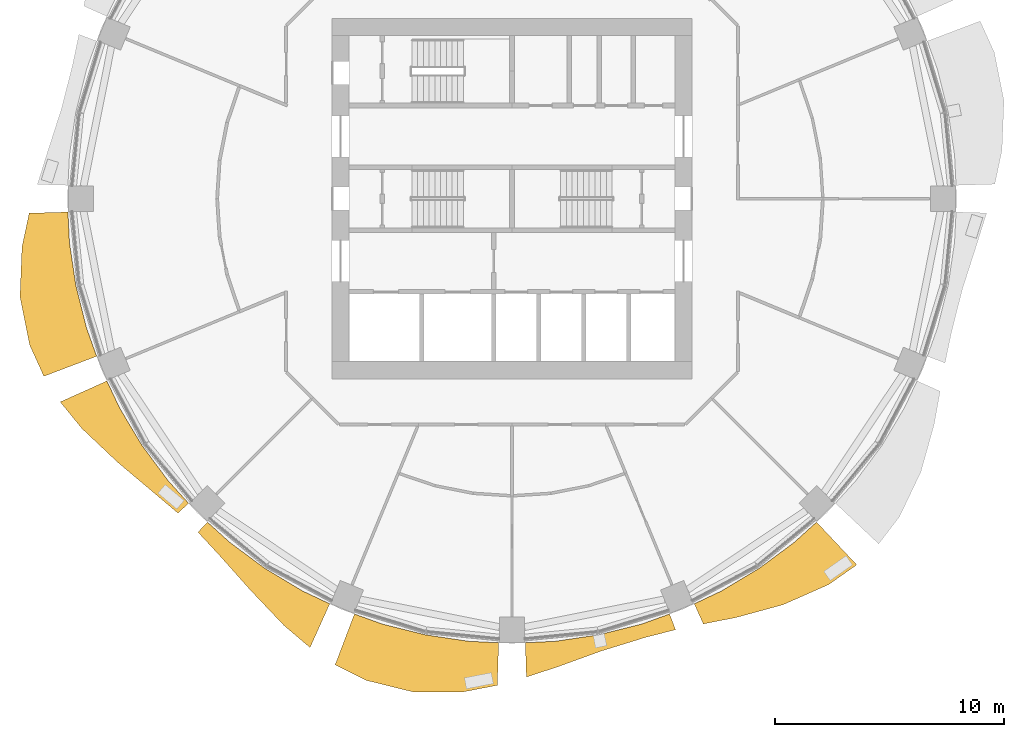
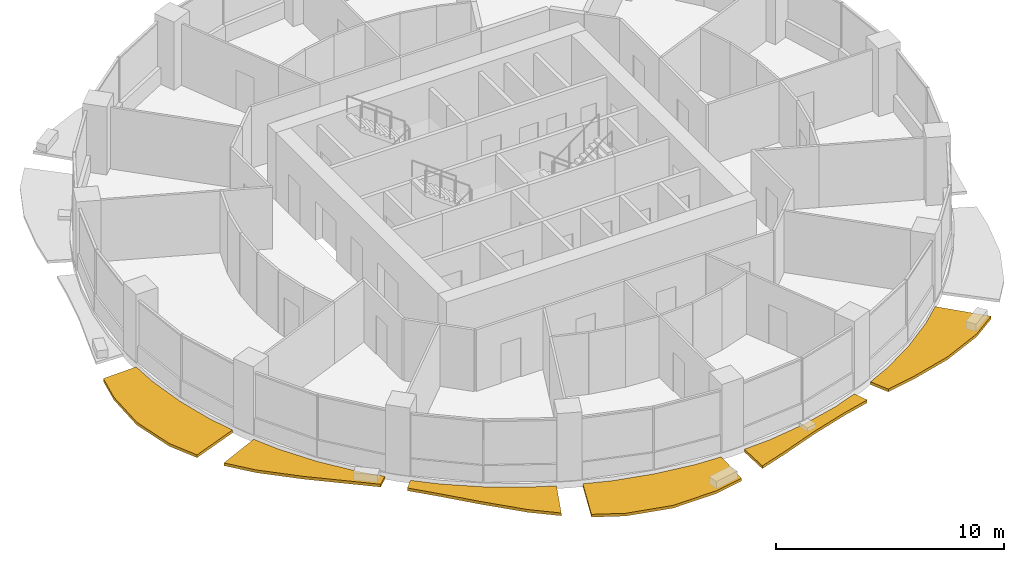
# One storey, part 12 of 15: 6 shading devices.
"""IFC4 building model written with IfcOpenShell, lengths in metres."""

import ifcopenshell
import ifcopenshell.guid

model = None  # the IFC model being written
_history = None  # IfcOwnerHistory: only IFC2X3 demands one
_inside = {}  # id of a spatial element -> (the spatial element, [elements in it])
_under = {}  # id of a project, library or spatial element -> (it, [spatial elements below it])
_declared = {}  # id of a project -> (the project, [libraries it declares])
_typed = {}  # id of a type object -> (the type object, [elements of that type])
_made_of = {}  # id of a material, layer set ... -> (it, [elements and type objects made of it])


def new_model(schema):
    """Start an empty IFC model of exactly this schema.

    Asked for "IFC4X3", IfcOpenShell would pick the latest addendum, in which some entities
    have other attributes; the version numbers below select the first issue.
    IFC2X3 requires an IfcOwnerHistory on every rooted entity: one is made here for all.
    """
    global model, _history
    if schema == "IFC4X3":
        model = ifcopenshell.file(schema_version=(4, 3, 0, 0))
    else:
        model = ifcopenshell.file(schema=schema)
    _inside.clear()
    _under.clear()
    _declared.clear()
    _typed.clear()
    _made_of.clear()
    _history = None
    if model.schema == "IFC2X3":
        org = make("IfcOrganization", Name="unknown")
        user = make(
            "IfcPersonAndOrganization",
            ThePerson=make("IfcPerson", FamilyName="unknown"),
            TheOrganization=org,
        )
        app = make(
            "IfcApplication",
            ApplicationDeveloper=org,
            Version="unknown",
            ApplicationFullName="unknown",
            ApplicationIdentifier="unknown",
        )
        _history = make(
            "IfcOwnerHistory",
            OwningUser=user,
            OwningApplication=app,
            ChangeAction="ADDED",
            CreationDate=0,
        )
    return model


def make(cls, **values):
    """One entity of the class cls with the attributes given. An attribute that is None is left unset."""
    return model.create_entity(
        cls, **{name: value for name, value in values.items() if value is not None}
    )


def rooted(cls, **values):
    """An entity with a GlobalId (a new one), such as an element, a storey or a relation."""
    return make(cls, GlobalId=ifcopenshell.guid.new(), OwnerHistory=_history, **values)


def si_unit(unit_type, name, prefix=None):
    """IfcSIUnit, for example si_unit("LENGTHUNIT", "METRE", prefix="MILLI")."""
    return make("IfcSIUnit", UnitType=unit_type, Prefix=prefix, Name=name)


def assignment(units):
    """IfcUnitAssignment: the units of a project."""
    return None if units is None else make("IfcUnitAssignment", Units=units)


def point(xyz):
    """IfcCartesianPoint."""
    return None if xyz is None else make("IfcCartesianPoint", Coordinates=xyz)


def direction(xyz):
    """IfcDirection."""
    return None if xyz is None else make("IfcDirection", DirectionRatios=xyz)


def frame(location, z_axis=None, x_axis=None):
    """IfcAxis2Placement3D, a coordinate frame: its origin and axes. An axis left out is left unset."""
    return make(
        "IfcAxis2Placement3D",
        Location=point(location),
        Axis=direction(z_axis),
        RefDirection=direction(x_axis),
    )


def origin():
    """The frame at (0, 0, 0) with its axes left unset."""
    return frame((0.0, 0.0, 0.0))


def place(relative_to, where):
    """IfcLocalPlacement: puts the frame where relative to a parent placement (None: the world)."""
    return make(
        "IfcLocalPlacement", PlacementRelTo=relative_to, RelativePlacement=where
    )


def context(
    kind, dimensions, precision=None, world=None, true_north=None, identifier=None
):
    """IfcGeometricRepresentationContext, for example the 3D "Model" context."""
    return make(
        "IfcGeometricRepresentationContext",
        ContextIdentifier=identifier,
        ContextType=kind,
        CoordinateSpaceDimension=dimensions,
        Precision=precision,
        WorldCoordinateSystem=world,
        TrueNorth=true_north,
    )


def subcontext(parent, identifier, kind, view, scale=None):
    """IfcGeometricRepresentationSubContext, for example "Body" below "Model"."""
    return make(
        "IfcGeometricRepresentationSubContext",
        ContextIdentifier=identifier,
        ContextType=kind,
        ParentContext=parent,
        TargetScale=scale,
        TargetView=view,
    )


def project(units=None, contexts=None):
    """IfcProject with its units and contexts."""
    return rooted(
        "IfcProject",
        Name="project",
        RepresentationContexts=contexts,
        UnitsInContext=assignment(units),
    )


def spatial(cls, under=None, at=None, **own):
    """A site, building, storey or space (cls), placed at a placement, below another one or the project."""
    s = rooted(cls, ObjectPlacement=at, **own)
    if under is not None:
        _under.setdefault(under.id(), (under, []))[1].append(s)
    return s


def polyline(points):
    """IfcPolyline through the points."""
    return make("IfcPolyline", Points=[point(p) for p in points])


def outline(outer, holes=None, kind="AREA"):
    """IfcArbitraryClosedProfileDef: a profile drawn as a closed curve; with holes, ...WithVoids."""
    if holes is None:
        return make("IfcArbitraryClosedProfileDef", ProfileType=kind, OuterCurve=outer)
    return make(
        "IfcArbitraryProfileDefWithVoids",
        ProfileType=kind,
        OuterCurve=outer,
        InnerCurves=holes,
    )


def extrude(swept, where, along, depth):
    """IfcExtrudedAreaSolid: the profile swept, set in the frame where, extruded along a direction by depth."""
    return make(
        "IfcExtrudedAreaSolid",
        SweptArea=swept,
        Position=where,
        ExtrudedDirection=direction(along),
        Depth=depth,
    )


def shape(context_of_items, identifier, shape_type, items):
    """IfcShapeRepresentation: the items that make up one representation, for example the "Body"."""
    return make(
        "IfcShapeRepresentation",
        ContextOfItems=context_of_items,
        RepresentationIdentifier=identifier,
        RepresentationType=shape_type,
        Items=items,
    )


def material(Name=None, Category=None):
    """IfcMaterial."""
    return make("IfcMaterial", Name=Name, Category=Category)


def made_of(thing, what):
    """Note that an element or type object is made of a material, layer set ...; save() writes the relation."""
    if what is not None:
        _made_of.setdefault(what.id(), (what, []))[1].append(thing)
    return thing


def type_object(cls, material=None, **own):
    """A type object (cls), such as IfcWallType, which elements share."""
    return made_of(rooted(cls, **own), material)


def element(
    cls,
    number,
    at=None,
    inside=None,
    cuts=None,
    type_object=None,
    material=None,
    context=None,
    identifier="Body",
    shape_type=None,
    held_by="IfcProductDefinitionShape",
    body=None,
    shapes=None,
    **own,
):
    """One element of the class cls, such as IfcWall. Its Tag is "e" and its number.

    at: its placement. inside: the storey or other place that contains it. cuts: it is an
    opening in that element (IfcRelVoidsElement). A single representation is given by context,
    identifier, shape_type and body (its items); several are given by shapes. held_by: the class
    of the entity that holds the representations. save() writes the other relations.
    """
    e = rooted(cls, Tag="e%d" % number, ObjectPlacement=at, **own)
    if body is not None:
        shapes = [shape(context, identifier, shape_type, body)]
    if shapes is not None:
        e.Representation = make(held_by, Representations=shapes)
    if inside is not None:
        _inside.setdefault(inside.id(), (inside, []))[1].append(e)
    if cuts is not None:
        rooted(
            "IfcRelVoidsElement", RelatingBuildingElement=cuts, RelatedOpeningElement=e
        )
    if type_object is not None:
        _typed.setdefault(type_object.id(), (type_object, []))[1].append(e)
    return made_of(e, material)


def aggregate(whole, parts):
    """IfcRelAggregates: a whole, such as a stair, and the parts it consists of."""
    return rooted("IfcRelAggregates", RelatingObject=whole, RelatedObjects=parts)


def save(model, path):
    """Write the relations noted so far, then the file.

    IfcRelAggregates (storeys below a building ...), IfcRelContainedInSpatialStructure (elements
    in a storey), IfcRelDefinesByType, IfcRelAssociatesMaterial and IfcRelDeclares: one each for
    every whole, place, type object, material and project.
    """
    for whole, parts in _under.values():
        aggregate(whole, parts)
    for where, things in _inside.values():
        rooted(
            "IfcRelContainedInSpatialStructure",
            RelatedElements=things,
            RelatingStructure=where,
        )
    for kind, things in _typed.values():
        rooted("IfcRelDefinesByType", RelatedObjects=things, RelatingType=kind)
    for what, things in _made_of.values():
        rooted("IfcRelAssociatesMaterial", RelatedObjects=things, RelatingMaterial=what)
    for by, libraries in _declared.values():
        rooted("IfcRelDeclares", RelatingContext=by, RelatedDefinitions=libraries)
    model.write(path)


model = new_model("IFC4")

# Units and contexts
model_context = context("Model", 3, precision=1e-05, world=origin(), true_north=direction((0.0, 1.0)))
body_context = subcontext(model_context, "Body", "Model", "MODEL_VIEW")
ifc_project = project(units=[si_unit("LENGTHUNIT", "METRE"), si_unit("AREAUNIT", "SQUARE_METRE"), si_unit("VOLUMEUNIT", "CUBIC_METRE"), si_unit("PLANEANGLEUNIT", "RADIAN"), si_unit("MASSUNIT", "GRAM", prefix="KILO")], contexts=[model_context])

# Site, building, storey
site_placement = place(None, origin())
site = spatial("IfcSite", under=ifc_project, at=site_placement, CompositionType="ELEMENT")
building_placement = place(site_placement, origin())
building = spatial("IfcBuilding", under=site, at=building_placement, Name="Polderwave Tower", CompositionType="ELEMENT")
storey_placement = place(building_placement, frame((0.0, 0.0, 72.75)))
storey = spatial("IfcBuildingStorey", under=building, at=storey_placement, Name="L18", CompositionType="ELEMENT", Elevation=72.75)

# Shading devices
ifc_material = material(Name="Terracotta", Category="masonry")
shading_device_type = type_object("IfcShadingDeviceType", Name="Terracotta sunshade band", PredefinedType="USERDEFINED", material=ifc_material)
shading_device_1_placement = place(storey_placement, frame((0.0, 0.0, -0.35009765625)))
element("IfcShadingDevice", 1, at=shading_device_1_placement, inside=storey, type_object=shading_device_type, Name="Sunshade band L18 9", ObjectType="SUNSHADE", PredefinedType="USERDEFINED", context=body_context, shape_type="SweptSolid", body=[
    extrude(outline(polyline([(-19.411376953125, -0.583740234375), (-19.346435546875, -1.905517578125), (-19.06640625, -3.79248046875), (-18.602783203125, -5.64306640625), (-18.156982421875, -6.88916015625), (-20.464111328125, -7.764404296875), (-21.0849609375, -6.39599609375), (-21.507080078125, -4.278076171875), (-21.419921875, -2.109619140625), (-21.1064453125, -0.634765625), (-19.411376953125, -0.583740234375)])), origin(), (0.0, 0.0, 1.0), 0.150146484375),
])
shading_device_2_placement = place(storey_placement, frame((0.0, 0.0, -0.35009765625)))
element("IfcShadingDevice", 2, at=shading_device_2_placement, inside=storey, type_object=shading_device_type, Name="Sunshade band L18 10", ObjectType="SUNSHADE", PredefinedType="USERDEFINED", context=body_context, shape_type="SweptSolid", body=[
    extrude(outline(polyline([(-17.710205078125, -7.9677734375), (-17.14453125, -9.1640625), (-16.163818359375, -10.80029296875), (-15.02734375, -12.33251953125), (-14.138671875, -13.31298828125), (-14.600830078125, -13.748291015625), (-15.659912109375, -12.851806640625), (-17.24169921875, -11.5205078125), (-18.7998046875, -10.048828125), (-19.74951171875, -8.885009765625), (-17.710205078125, -7.9677734375)])), origin(), (0.0, 0.0, 1.0), 0.150146484375),
])
shading_device_3_placement = place(storey_placement, frame((0.0, 0.0, -0.35009765625)))
element("IfcShadingDevice", 3, at=shading_device_3_placement, inside=storey, type_object=shading_device_type, Name="Sunshade band L18 11", ObjectType="SUNSHADE", PredefinedType="USERDEFINED", context=body_context, shape_type="SweptSolid", body=[
    extrude(outline(polyline([(-13.31298828125, -14.138671875), (-12.33251953125, -15.02734375), (-10.80029296875, -16.163818359375), (-9.1640625, -17.14453125), (-7.9677734375, -17.710205078125), (-8.828125, -19.623291015625), (-9.970947265625, -18.654296875), (-11.43408203125, -17.1123046875), (-12.792236328125, -15.58740234375), (-13.7275390625, -14.578857421875), (-13.31298828125, -14.138671875)])), origin(), (0.0, 0.0, 1.0), 0.150146484375),
])
shading_device_4_placement = place(storey_placement, frame((0.0, 0.0, -0.35009765625)))
element("IfcShadingDevice", 4, at=shading_device_4_placement, inside=storey, type_object=shading_device_type, Name="Sunshade band L18 12", ObjectType="SUNSHADE", PredefinedType="USERDEFINED", context=body_context, shape_type="SweptSolid", body=[
    extrude(outline(polyline([(-6.88916015625, -18.156982421875), (-5.64306640625, -18.602783203125), (-3.79248046875, -19.06640625), (-1.905517578125, -19.346435546875), (-0.583740234375, -19.411376953125), (-0.6396484375, -21.272216796875), (-2.123291015625, -21.559326171875), (-4.29052734375, -21.5703125), (-6.386474609375, -21.053466796875), (-7.73046875, -20.37451171875), (-6.88916015625, -18.156982421875)])), origin(), (0.0, 0.0, 1.0), 0.150146484375),
])
shading_device_5_placement = place(storey_placement, frame((0.0, 0.0, -0.35009765625)))
element("IfcShadingDevice", 5, at=shading_device_5_placement, inside=storey, type_object=shading_device_type, Name="Sunshade band L18 13", ObjectType="SUNSHADE", PredefinedType="USERDEFINED", context=body_context, shape_type="SweptSolid", body=[
    extrude(outline(polyline([(0.583740234375, -19.411376953125), (1.905517578125, -19.346435546875), (3.79248046875, -19.06640625), (5.64306640625, -18.602783203125), (6.88916015625, -18.156982421875), (7.14892578125, -18.842041015625), (5.819091796875, -19.18310546875), (3.931396484375, -19.764404296875), (2.014892578125, -20.45751953125), (0.62890625, -20.914794921875), (0.583740234375, -19.411376953125)])), origin(), (0.0, 0.0, 1.0), 0.150146484375),
])
shading_device_6_placement = place(storey_placement, frame((0.0, 0.0, -0.35009765625)))
element("IfcShadingDevice", 6, at=shading_device_6_placement, inside=storey, type_object=shading_device_type, Name="Sunshade band L18 14", ObjectType="SUNSHADE", PredefinedType="USERDEFINED", context=body_context, shape_type="SweptSolid", body=[
    extrude(outline(polyline([(7.9677734375, -17.710205078125), (9.1640625, -17.14453125), (10.80029296875, -16.163818359375), (12.33251953125, -15.02734375), (13.31298828125, -14.138671875), (15.071533203125, -16.006103515625), (13.843505859375, -16.868408203125), (11.85791015625, -17.74658203125), (9.78759765625, -18.311279296875), (8.36328125, -18.58935546875), (7.9677734375, -17.710205078125)])), origin(), (0.0, 0.0, 1.0), 0.150146484375),
])

save(model, "model.ifc")
